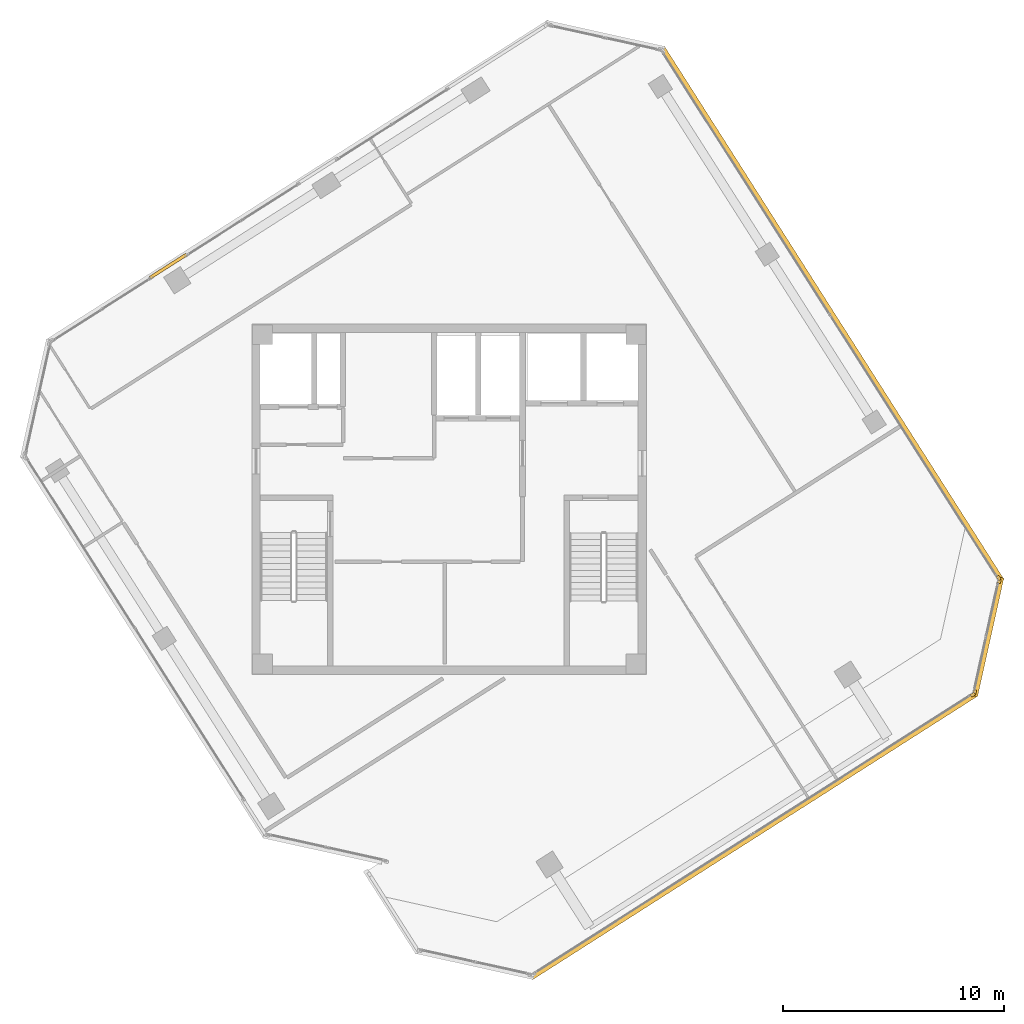
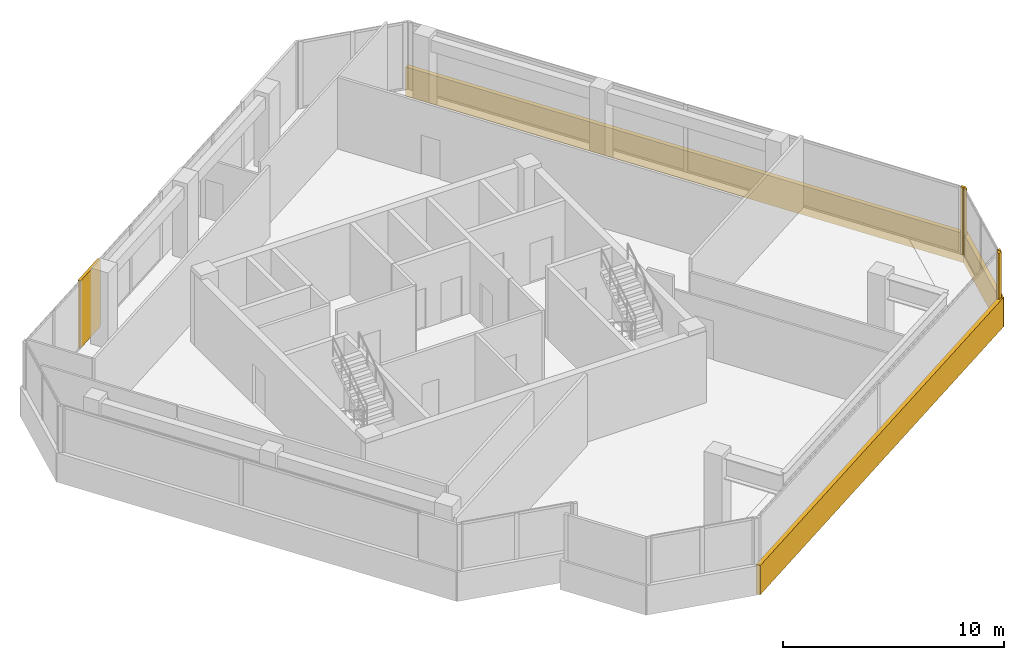
# One storey, part 14 of 15: 8 coverings.
"""IFC4 building model written with IfcOpenShell, lengths in metres."""

from ifc_helpers import new_model, si_unit, direction, frame, origin, origin_2d, place, context, subcontext, project, spatial, rectangle, extrude, source, transform, mapped, material, layer, layer_set, type_object, element, save


model = new_model("IFC4")

# Units and contexts
model_context = context("Model", 3, precision=1e-05, world=origin(), true_north=direction((0.0, 1.0)))
body_context = subcontext(model_context, "Body", "Model", "MODEL_VIEW")
ifc_project = project(units=[si_unit("LENGTHUNIT", "METRE"), si_unit("AREAUNIT", "SQUARE_METRE"), si_unit("VOLUMEUNIT", "CUBIC_METRE"), si_unit("PLANEANGLEUNIT", "RADIAN"), si_unit("MASSUNIT", "GRAM", prefix="KILO")], contexts=[model_context])

# Site, building, storey
site_placement = place(None, origin())
site = spatial("IfcSite", under=ifc_project, at=site_placement, CompositionType="ELEMENT")
building_placement = place(site_placement, origin())
building = spatial("IfcBuilding", under=site, at=building_placement, Name="Torre Montelarca", CompositionType="ELEMENT")
storey_placement = place(building_placement, frame((0.0, 0.0, 311.39990234375)))
storey = spatial("IfcBuildingStorey", under=building, at=storey_placement, Name="L70", CompositionType="ELEMENT", Elevation=311.39990234375)

# Coverings
ifc_material = material(Name="Bush-hammered warm white precast concrete C45/55", Category="concrete")
ifc_layer = layer(ifc_material, 0.139892578125, Name="Bush-hammered warm white precast concrete C45/55", Category="concrete")
ifc_layer_set = layer_set([ifc_layer], Name="Bush-hammered warm white precast concrete C45/55")
covering_type = type_object("IfcCoveringType", Name="COV-TRAY-CLAD", PredefinedType="CLADDING", material=ifc_layer_set)
shared_shape_1 = source(origin(), body_context, "Body", "SweptSolid", [
    extrude(rectangle(XDim=0.199951171875, YDim=0.139892578125, at=origin_2d()), origin(), (0.0, 0.0, 1.0), 3.719970703125),
])
for number, where, z_axis, x_axis, name in (
    (1, (41.6982421875, 23.15771484375, 0.0), (0.0, 0.0, 1.0), (0.843390508047, 0.537301080342, 0.0), "L70 Architectural Column Pier Cladding E06-2"),
    (2, (41.781494140625, 23.276611328125, 0.0), (0.0, 0.0, 1.0), (0.216429390178, 0.976298273617, 0.0), "L70 Architectural Column Pier Cladding E07-1"),
    (3, (42.89453125, 28.297119140625, 0.0), (0.0, 0.0, 1.0), (0.216429390178, 0.976298273617, 0.0), "L70 Architectural Column Pier Cladding E07-2"),
    (4, (42.869384765625, 28.440185546875, 0.0), (0.0, 0.0, 1.0), (-0.537299608347, 0.843391445813, 0.0), "L70 Architectural Column Pier Cladding E08-1"),
):
    element("IfcCovering", number, at=place(storey_placement, frame(where, z_axis=z_axis, x_axis=x_axis)), inside=storey, type_object=covering_type, Name=name, PredefinedType="CLADDING", context=body_context, shape_type="MappedRepresentation", body=[
        mapped(shared_shape_1, transform((0.0, 0.0, 0.0), scale=1.0)),
    ])
shared_shape_2 = source(origin(), body_context, "Body", "SweptSolid", [
    extrude(rectangle(XDim=1.9599609375, YDim=0.139892578125, at=origin_2d()), origin(), (0.0, 0.0, 1.0), 3.719970703125),
])
covering_1_placement = place(storey_placement, frame((5.291015625, 42.5537109375, 0.0), z_axis=(0.0, 0.0, 1.0), x_axis=(-0.843390508047, -0.537301080342, 0.0)))
element("IfcCovering", 5, at=covering_1_placement, inside=storey, type_object=covering_type, Name="L70 Architectural Column Pier Cladding E10-4", PredefinedType="CLADDING", context=body_context, shape_type="MappedRepresentation", body=[
    mapped(shared_shape_2, transform((0.0, 0.0, 0.0), scale=1.0)),
])
shared_shape_3 = source(origin(), body_context, "Body", "SweptSolid", [
    extrude(rectangle(XDim=5.493896484375, YDim=0.219970703125, at=origin_2d()), origin(), (0.0, 0.0, 1.0), 1.6201171875),
])
covering_2_placement = place(storey_placement, frame((42.396728515625, 25.77392578125, -0.449951171875), z_axis=(0.0, 0.0, 1.0), x_axis=(0.216432798101, 0.97629751813, 0.0)))
element("IfcCovering", 6, at=covering_2_placement, inside=storey, type_object=covering_type, Name="L70 Architectural White Spandrel Tray Band TRYBOT-07", PredefinedType="CLADDING", context=body_context, shape_type="MappedRepresentation", body=[
    mapped(shared_shape_3, transform((0.0, 0.0, 0.0), scale=1.0)),
])
shared_shape_4 = source(origin(), body_context, "Body", "SweptSolid", [
    extrude(rectangle(XDim=28.6201171875, YDim=0.219970703125, at=origin_2d()), origin(), (0.0, 0.0, 1.0), 1.6201171875),
])
covering_3_placement = place(storey_placement, frame((35.32568359375, 40.392822265625, -0.449951171875), z_axis=(0.0, 0.0, 1.0), x_axis=(-0.53729813635, 0.843392383576, 0.0)))
element("IfcCovering", 7, at=covering_3_placement, inside=storey, type_object=covering_type, Name="L70 Architectural White Spandrel Tray Band TRYBOT-08", PredefinedType="CLADDING", context=body_context, shape_type="MappedRepresentation", body=[
    mapped(shared_shape_4, transform((0.0, 0.0, 0.0), scale=1.0)),
])
shared_shape_5 = source(origin(), body_context, "Body", "SweptSolid", [
    extrude(rectangle(XDim=23.919921875, YDim=0.219970703125, at=origin_2d()), origin(), (0.0, 0.0, 1.0), 1.6201171875),
])
covering_4_placement = place(storey_placement, frame((31.7919921875, 16.775634765625, -0.449951171875), z_axis=(0.0, 0.0, 1.0), x_axis=(0.843391445813, 0.537299608347, 0.0)))
element("IfcCovering", 8, at=covering_4_placement, inside=storey, type_object=covering_type, Name="L70 Architectural White Spandrel Tray Band TRYBOT-06", PredefinedType="CLADDING", context=body_context, shape_type="MappedRepresentation", body=[
    mapped(shared_shape_5, transform((0.0, 0.0, 0.0), scale=1.0)),
])

save(model, "model.ifc")
